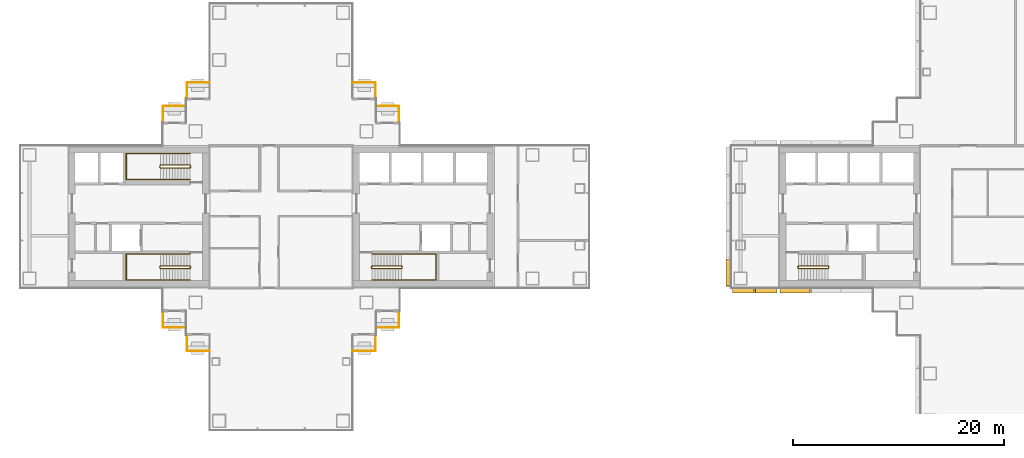
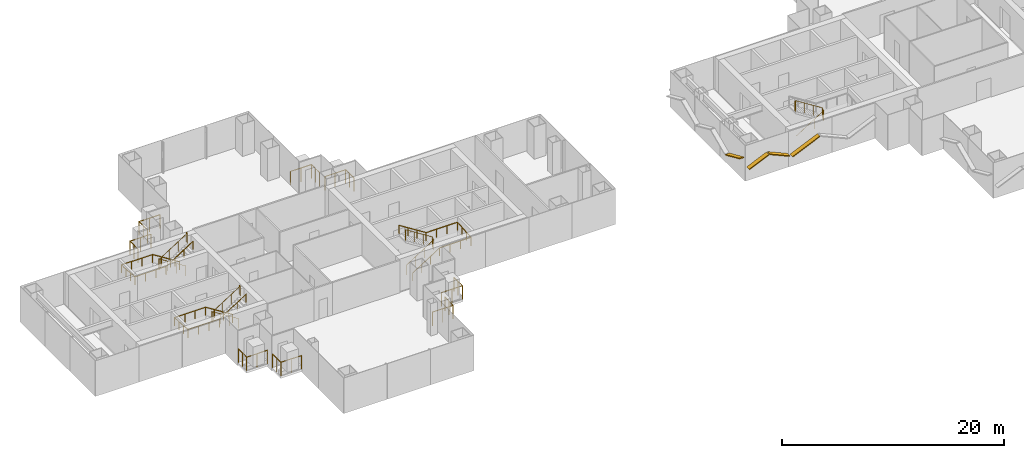
# One storey, part 16 of 19: 15 railings, 4 shading devices.
"""IFC4 building model written with IfcOpenShell, lengths in metres."""

from ifc_helpers import new_model, si_unit, direction, frame, origin, origin_2d, place, context, subcontext, project, spatial, rectangle, circle, extrude, material, material_profile, profile_set, type_object, element, save


model = new_model("IFC4")

# Units and contexts
model_context = context("Model", 3, precision=1e-05, world=origin(), true_north=direction((0.0, 1.0)))
body_context = subcontext(model_context, "Body", "Model", "MODEL_VIEW")
ifc_project = project(units=[si_unit("LENGTHUNIT", "METRE"), si_unit("AREAUNIT", "SQUARE_METRE"), si_unit("VOLUMEUNIT", "CUBIC_METRE"), si_unit("PLANEANGLEUNIT", "RADIAN"), si_unit("MASSUNIT", "GRAM", prefix="KILO")], contexts=[model_context])

# Site, building, storey
site_placement = place(None, origin())
site = spatial("IfcSite", under=ifc_project, at=site_placement, CompositionType="ELEMENT")
building_placement = place(site_placement, origin())
building = spatial("IfcBuilding", under=site, at=building_placement, Name="Shamsa Quay Exchange Towers", CompositionType="ELEMENT")
storey_placement = place(building_placement, frame((0.0, 0.0, 85.800048828125)))
storey = spatial("IfcBuildingStorey", under=building, at=storey_placement, Name="L19", CompositionType="ELEMENT", Elevation=85.800048828125)

# Railings
ifc_material_1 = material(Name="Steel S355, black powder-coated", Category="steel")
railing_type_1 = type_object("IfcRailingType", Name="BALCONY GUARD 1500", PredefinedType="GUARDRAIL", material=ifc_material_1)
for number, where, name in (
    (1, (-22.550048828125, 9.02099609375, 0.0), "Balcony guard T1-PKEN L19"),
    (2, (-24.800048828125, 11.27099609375, 0.0), "Balcony guard T1-PKEN L19"),
):
    element("IfcRailing", number, at=place(storey_placement, frame(where)), inside=storey, type_object=railing_type_1, Name=name, PredefinedType="GUARDRAIL", context=body_context, shape_type="SweptSolid", body=[
        extrude(circle(Radius=0.02392578125, at=origin_2d()), frame((0.0, 0.0, 1.47607421875), z_axis=(0.0, 1.0, 0.0), x_axis=(-1.0, 0.0, 0.0)), (0.0, 0.0, 1.0), 1.47900390625),
        extrude(circle(Radius=0.02392578125, at=origin_2d()), frame((0.0, 1.47900390625, 1.47607421875), z_axis=(-1.0, 0.0, 0.0), x_axis=(0.0, -1.0, 0.0)), (0.0, 0.0, 1.0), 2.161865234375),
        extrude(circle(Radius=0.02099609375, at=origin_2d()), origin(), (0.0, 0.0, 1.0), 1.451904296875),
        extrude(circle(Radius=0.02099609375, at=origin_2d()), frame((0.0, 0.739501953125, 0.0)), (0.0, 0.0, 1.0), 1.451904296875),
        extrude(circle(Radius=0.02099609375, at=origin_2d()), frame((0.0, 1.47900390625, 0.0)), (0.0, 0.0, 1.0), 1.451904296875),
        extrude(circle(Radius=0.02099609375, at=origin_2d()), frame((-1.0810546875, 1.47900390625, 0.0)), (0.0, 0.0, 1.0), 1.451904296875),
        extrude(circle(Radius=0.02099609375, at=origin_2d()), frame((-2.161865234375, 1.47900390625, 0.0)), (0.0, 0.0, 1.0), 1.451904296875),
    ])
for number, where, name in (
    (3, (-24.7119140625, -10.5, 0.0), "Balcony guard T1-PKES L19"),
    (4, (-26.9619140625, -12.75, 0.0), "Balcony guard T1-PKES L19"),
):
    element("IfcRailing", number, at=place(storey_placement, frame(where)), inside=storey, type_object=railing_type_1, Name=name, PredefinedType="GUARDRAIL", context=body_context, shape_type="SweptSolid", body=[
        extrude(circle(Radius=0.02392578125, at=origin_2d()), frame((0.0, 0.0, 1.47607421875), z_axis=(1.0, 0.0, 0.0), x_axis=(0.0, 1.0, 0.0)), (0.0, 0.0, 1.0), 2.161865234375),
        extrude(circle(Radius=0.02392578125, at=origin_2d()), frame((2.161865234375, 0.0, 1.47607421875), z_axis=(0.0, 1.0, 0.0), x_axis=(-1.0, 0.0, 0.0)), (0.0, 0.0, 1.0), 1.47900390625),
        extrude(circle(Radius=0.02099609375, at=origin_2d()), origin(), (0.0, 0.0, 1.0), 1.451904296875),
        extrude(circle(Radius=0.02099609375, at=origin_2d()), frame((1.0810546875, 0.0, 0.0)), (0.0, 0.0, 1.0), 1.451904296875),
        extrude(circle(Radius=0.02099609375, at=origin_2d()), frame((2.161865234375, 0.0, 0.0)), (0.0, 0.0, 1.0), 1.451904296875),
        extrude(circle(Radius=0.02099609375, at=origin_2d()), frame((2.161865234375, 0.739501953125, 0.0)), (0.0, 0.0, 1.0), 1.451904296875),
        extrude(circle(Radius=0.02099609375, at=origin_2d()), frame((2.161865234375, 1.47900390625, 0.0)), (0.0, 0.0, 1.0), 1.451904296875),
    ])
for number, where, name in (
    (5, (-40.5380859375, 12.75, 0.0), "Balcony guard T1-PKWN L19"),
    (6, (-42.7880859375, 10.5, 0.0), "Balcony guard T1-PKWN L19"),
):
    element("IfcRailing", number, at=place(storey_placement, frame(where)), inside=storey, type_object=railing_type_1, Name=name, PredefinedType="GUARDRAIL", context=body_context, shape_type="SweptSolid", body=[
        extrude(circle(Radius=0.02392578125, at=origin_2d()), frame((0.0, 0.0, 1.47607421875), z_axis=(-1.0, 0.0, 0.0), x_axis=(0.0, -1.0, 0.0)), (0.0, 0.0, 1.0), 2.161865234375),
        extrude(circle(Radius=0.02392578125, at=origin_2d()), frame((-2.161865234375, 0.0, 1.47607421875), z_axis=(0.0, -1.0, 0.0), x_axis=(1.0, 0.0, 0.0)), (0.0, 0.0, 1.0), 1.47900390625),
        extrude(circle(Radius=0.02099609375, at=origin_2d()), origin(), (0.0, 0.0, 1.0), 1.451904296875),
        extrude(circle(Radius=0.02099609375, at=origin_2d()), frame((-1.0810546875, 0.0, 0.0)), (0.0, 0.0, 1.0), 1.451904296875),
        extrude(circle(Radius=0.02099609375, at=origin_2d()), frame((-2.161865234375, 0.0, 0.0)), (0.0, 0.0, 1.0), 1.451904296875),
        extrude(circle(Radius=0.02099609375, at=origin_2d()), frame((-2.161865234375, -0.739501953125, 0.0)), (0.0, 0.0, 1.0), 1.451904296875),
        extrude(circle(Radius=0.02099609375, at=origin_2d()), frame((-2.161865234375, -1.47900390625, 0.0)), (0.0, 0.0, 1.0), 1.451904296875),
    ])
for number, where, name in (
    (7, (-44.949951171875, -9.02099609375, 0.0), "Balcony guard T1-PKWS L19"),
    (8, (-42.699951171875, -11.27099609375, 0.0), "Balcony guard T1-PKWS L19"),
):
    element("IfcRailing", number, at=place(storey_placement, frame(where)), inside=storey, type_object=railing_type_1, Name=name, PredefinedType="GUARDRAIL", context=body_context, shape_type="SweptSolid", body=[
        extrude(circle(Radius=0.02392578125, at=origin_2d()), frame((0.0, 0.0, 1.47607421875), z_axis=(0.0, -1.0, 0.0), x_axis=(1.0, 0.0, 0.0)), (0.0, 0.0, 1.0), 1.47900390625),
        extrude(circle(Radius=0.02392578125, at=origin_2d()), frame((0.0, -1.47900390625, 1.47607421875), z_axis=(1.0, 0.0, 0.0), x_axis=(0.0, 1.0, 0.0)), (0.0, 0.0, 1.0), 2.161865234375),
        extrude(circle(Radius=0.02099609375, at=origin_2d()), origin(), (0.0, 0.0, 1.0), 1.451904296875),
        extrude(circle(Radius=0.02099609375, at=origin_2d()), frame((0.0, -0.739501953125, 0.0)), (0.0, 0.0, 1.0), 1.451904296875),
        extrude(circle(Radius=0.02099609375, at=origin_2d()), frame((0.0, -1.47900390625, 0.0)), (0.0, 0.0, 1.0), 1.451904296875),
        extrude(circle(Radius=0.02099609375, at=origin_2d()), frame((1.0810546875, -1.47900390625, 0.0)), (0.0, 0.0, 1.0), 1.451904296875),
        extrude(circle(Radius=0.02099609375, at=origin_2d()), frame((2.161865234375, -1.47900390625, 0.0)), (0.0, 0.0, 1.0), 1.451904296875),
    ])

# Shading devices
ifc_material_2 = material(Name="Aluminium EN AW-6063 T6, black anodised", Category="aluminium")
ifc_material_profile = material_profile(ifc_material_2, rectangle(XDim=0.449951171875, YDim=0.10009765625, at=origin_2d()), Name="FIN450x100")
ifc_profile_set = profile_set([ifc_material_profile], Name="Aluminium EN AW-6063 T6, black anodised")
shading_device_type = type_object("IfcShadingDeviceType", Name="FIN 450x100 BLACK ALUMINIUM", PredefinedType="USERDEFINED", material=ifc_profile_set)
shading_device_1_placement = place(storey_placement, frame((8.735107421875, -4.010009765625, 1.0234375), z_axis=(0.0, -0.91355925163, 0.406705659859), x_axis=(1.0, 0.0, 0.0)))
element("IfcShadingDevice", 9, at=shading_device_1_placement, inside=storey, type_object=shading_device_type, Name="FIN T2 chevron rib", ObjectType="FIN", PredefinedType="USERDEFINED", context=body_context, shape_type="SweptSolid", body=[
    extrude(rectangle(XDim=0.449951171875, YDim=0.10009765625, at=origin_2d()), origin(), (0.0, 0.0, 1.0), 2.835205078125),
])
for number, where, z_axis, x_axis, name in (
    (10, (9.14990234375, -7.014892578125, 1.1435546875), (0.913528691757, 0.0, 0.406774297783), (0.0, 1.0, 0.0), "FIN T2 chevron rib"),
    (11, (11.300048828125, -7.014892578125, 2.056396484375), (0.913528691757, 0.0, -0.406774297783), (0.0, 1.0, 0.0), "FIN T2 chevron rib"),
):
    element("IfcShadingDevice", number, at=place(storey_placement, frame(where, z_axis=z_axis, x_axis=x_axis)), inside=storey, type_object=shading_device_type, Name=name, ObjectType="FIN", PredefinedType="USERDEFINED", context=body_context, shape_type="SweptSolid", body=[
        extrude(rectangle(XDim=0.449951171875, YDim=0.10009765625, at=origin_2d()), origin(), (0.0, 0.0, 1.0), 2.244140625),
    ])
shading_device_2_placement = place(storey_placement, frame((13.64990234375, -7.01904296875, 0.965576171875), z_axis=(0.913562893981, 0.0, 0.406697478158), x_axis=(0.0, 1.0, 0.0)))
element("IfcShadingDevice", 12, at=shading_device_2_placement, inside=storey, type_object=shading_device_type, Name="FIN T2 chevron rib", ObjectType="FIN", PredefinedType="USERDEFINED", context=body_context, shape_type="SweptSolid", body=[
    extrude(rectangle(XDim=0.449951171875, YDim=0.10009765625, at=origin_2d()), origin(), (0.0, 0.0, 1.0), 3.119873046875),
])

# Railings
ifc_material_3 = material(Name="Stainless steel", Category="steel")
railing_type_2 = type_object("IfcRailingType", Name="STAIR GUARD 1100", PredefinedType="GUARDRAIL", material=ifc_material_3)
railing_1_placement = place(storey_placement, frame((-25.10009765625, -4.89990234375, 0.17724609375)))
element("IfcRailing", 13, at=railing_1_placement, inside=storey, type_object=railing_type_2, Name="L19 ST1 stair guard 1", PredefinedType="GUARDRAIL", context=body_context, shape_type="SweptSolid", body=[
    extrude(circle(Radius=0.02392578125, at=origin_2d()), frame((0.0, 0.0, 1.076171875), z_axis=(0.844908973607, 0.0, 0.534910110503), x_axis=(0.0, 1.0, 0.0)), (0.0, 0.0, 1.0), 3.31396484375),
    extrude(circle(Radius=0.02392578125, at=origin_2d()), frame((2.800048828125, 0.0, 2.8486328125), z_axis=(0.708833529934, 0.705375805398, 0.0), x_axis=(-0.705375805398, 0.708833529934, 0.0)), (0.0, 0.0, 1.0), 0.070556640625),
    extrude(circle(Radius=0.02392578125, at=origin_2d()), frame((2.85009765625, 0.0498046875, 2.8486328125), z_axis=(0.0, 1.0, 0.0), x_axis=(-1.0, 0.0, 0.0)), (0.0, 0.0, 1.0), 0.150146484375),
    extrude(circle(Radius=0.02392578125, at=origin_2d()), frame((2.85009765625, 0.199951171875, 2.8486328125), z_axis=(-0.262233686654, 0.262233686654, 0.928691007369), x_axis=(-0.707106781187, -0.707106781187, 0.0)), (0.0, 0.0, 1.0), 0.19091796875),
    extrude(circle(Radius=0.02392578125, at=origin_2d()), frame((2.800048828125, 0.25, 3.02587890625), z_axis=(-0.844908973607, 0.0, 0.534910110503), x_axis=(0.0, -1.0, 0.0)), (0.0, 0.0, 1.0), 3.31396484375),
    extrude(circle(Radius=0.02392578125, at=origin_2d()), frame((0.0, 0.25, 4.798828125), z_axis=(-0.24142163986, -0.970420317083, 0.0), x_axis=(0.970420317083, -0.24142163986, 0.0)), (0.0, 0.0, 1.0), 0.206298828125),
    extrude(circle(Radius=0.02392578125, at=origin_2d()), frame((-0.0498046875, 0.0498046875, 4.798828125), z_axis=(0.0, 1.0, 0.0), x_axis=(-1.0, 0.0, 0.0)), (0.0, 0.0, 1.0), 0.150146484375),
    extrude(circle(Radius=0.02099609375, at=origin_2d()), origin(), (0.0, 0.0, 1.0), 1.052001953125),
    extrude(circle(Radius=0.02099609375, at=origin_2d()), frame((0.933349609375, 0.0, 0.5908203125)), (0.0, 0.0, 1.0), 1.052001953125),
    extrude(circle(Radius=0.02099609375, at=origin_2d()), frame((1.86669921875, 0.0, 1.181884765625)), (0.0, 0.0, 1.0), 1.052001953125),
    extrude(circle(Radius=0.02099609375, at=origin_2d()), frame((2.800048828125, 0.0, 1.772705078125)), (0.0, 0.0, 1.0), 1.052001953125),
    extrude(circle(Radius=0.02099609375, at=origin_2d()), frame((2.85009765625, 0.0498046875, 1.772705078125)), (0.0, 0.0, 1.0), 1.052001953125),
    extrude(circle(Radius=0.02099609375, at=origin_2d()), frame((2.85009765625, 0.199951171875, 1.772705078125)), (0.0, 0.0, 1.0), 1.052001953125),
    extrude(circle(Radius=0.02099609375, at=origin_2d()), frame((2.800048828125, 0.25, 1.949951171875)), (0.0, 0.0, 1.0), 1.052001953125),
    extrude(circle(Radius=0.02099609375, at=origin_2d()), frame((1.86669921875, 0.25, 2.540771484375)), (0.0, 0.0, 1.0), 1.052001953125),
    extrude(circle(Radius=0.02099609375, at=origin_2d()), frame((0.933349609375, 0.25, 3.1318359375)), (0.0, 0.0, 1.0), 1.052001953125),
    extrude(circle(Radius=0.02099609375, at=origin_2d()), frame((0.0, 0.25, 3.72265625)), (0.0, 0.0, 1.0), 1.052001953125),
    extrude(circle(Radius=0.02099609375, at=origin_2d()), frame((-0.0498046875, 0.0498046875, 3.72265625)), (0.0, 0.0, 1.0), 1.052001953125),
    extrude(circle(Radius=0.02099609375, at=origin_2d()), frame((-0.0498046875, 0.199951171875, 3.72265625)), (0.0, 0.0, 1.0), 1.052001953125),
])
railing_2_placement = place(storey_placement, frame((-42.39990234375, -4.64990234375, 0.17724609375)))
element("IfcRailing", 14, at=railing_2_placement, inside=storey, type_object=railing_type_2, Name="L19 ST2 stair guard 1", PredefinedType="GUARDRAIL", context=body_context, shape_type="SweptSolid", body=[
    extrude(circle(Radius=0.02392578125, at=origin_2d()), frame((0.0, 0.0, 1.076171875), z_axis=(-0.844908973607, 0.0, 0.534910110503), x_axis=(0.0, -1.0, 0.0)), (0.0, 0.0, 1.0), 3.31396484375),
    extrude(circle(Radius=0.02392578125, at=origin_2d()), frame((-2.800048828125, 0.0, 2.8486328125), z_axis=(-0.707106781187, -0.707106781187, 0.0), x_axis=(0.707106781187, -0.707106781187, 0.0)), (0.0, 0.0, 1.0), 0.07080078125),
    extrude(circle(Radius=0.02392578125, at=origin_2d()), frame((-2.85009765625, -0.050048828125, 2.8486328125), z_axis=(0.0, -1.0, 0.0), x_axis=(1.0, 0.0, 0.0)), (0.0, 0.0, 1.0), 0.150146484375),
    extrude(circle(Radius=0.02392578125, at=origin_2d()), frame((-2.85009765625, -0.2001953125, 2.8486328125), z_axis=(0.262321481514, -0.261041864531, 0.929001929653), x_axis=(0.705375805398, 0.708833529934, 0.0)), (0.0, 0.0, 1.0), 0.190673828125),
    extrude(circle(Radius=0.02392578125, at=origin_2d()), frame((-2.800048828125, -0.25, 3.02587890625), z_axis=(0.844908973607, 0.0, 0.534910110503), x_axis=(0.0, 1.0, 0.0)), (0.0, 0.0, 1.0), 3.31396484375),
    extrude(circle(Radius=0.02392578125, at=origin_2d()), frame((0.0, -0.25, 4.798828125), z_axis=(0.241699205484, 0.970351222016, 0.0), x_axis=(-0.970351222016, 0.241699205484, 0.0)), (0.0, 0.0, 1.0), 0.2060546875),
    extrude(circle(Radius=0.02392578125, at=origin_2d()), frame((0.0498046875, -0.050048828125, 4.798828125), z_axis=(0.0, -1.0, 0.0), x_axis=(1.0, 0.0, 0.0)), (0.0, 0.0, 1.0), 0.150146484375),
    extrude(circle(Radius=0.02099609375, at=origin_2d()), origin(), (0.0, 0.0, 1.0), 1.052001953125),
    extrude(circle(Radius=0.02099609375, at=origin_2d()), frame((-0.933349609375, 0.0, 0.5908203125)), (0.0, 0.0, 1.0), 1.052001953125),
    extrude(circle(Radius=0.02099609375, at=origin_2d()), frame((-1.86669921875, 0.0, 1.181884765625)), (0.0, 0.0, 1.0), 1.052001953125),
    extrude(circle(Radius=0.02099609375, at=origin_2d()), frame((-2.800048828125, 0.0, 1.772705078125)), (0.0, 0.0, 1.0), 1.052001953125),
    extrude(circle(Radius=0.02099609375, at=origin_2d()), frame((-2.85009765625, -0.050048828125, 1.772705078125)), (0.0, 0.0, 1.0), 1.052001953125),
    extrude(circle(Radius=0.02099609375, at=origin_2d()), frame((-2.85009765625, -0.2001953125, 1.772705078125)), (0.0, 0.0, 1.0), 1.052001953125),
    extrude(circle(Radius=0.02099609375, at=origin_2d()), frame((-2.800048828125, -0.25, 1.949951171875)), (0.0, 0.0, 1.0), 1.052001953125),
    extrude(circle(Radius=0.02099609375, at=origin_2d()), frame((-1.86669921875, -0.25, 2.540771484375)), (0.0, 0.0, 1.0), 1.052001953125),
    extrude(circle(Radius=0.02099609375, at=origin_2d()), frame((-0.933349609375, -0.25, 3.1318359375)), (0.0, 0.0, 1.0), 1.052001953125),
    extrude(circle(Radius=0.02099609375, at=origin_2d()), frame((0.0, -0.25, 3.72265625)), (0.0, 0.0, 1.0), 1.052001953125),
    extrude(circle(Radius=0.02099609375, at=origin_2d()), frame((0.0498046875, -0.050048828125, 3.72265625)), (0.0, 0.0, 1.0), 1.052001953125),
    extrude(circle(Radius=0.02099609375, at=origin_2d()), frame((0.0498046875, -0.2001953125, 3.72265625)), (0.0, 0.0, 1.0), 1.052001953125),
])
railing_3_placement = place(storey_placement, frame((-42.39990234375, 4.89990234375, 0.17724609375)))
element("IfcRailing", 15, at=railing_3_placement, inside=storey, type_object=railing_type_2, Name="L19 ST3 stair guard 1", PredefinedType="GUARDRAIL", context=body_context, shape_type="SweptSolid", body=[
    extrude(circle(Radius=0.02392578125, at=origin_2d()), frame((0.0, 0.0, 1.076171875), z_axis=(-0.844908973607, 0.0, 0.534910110503), x_axis=(0.0, -1.0, 0.0)), (0.0, 0.0, 1.0), 3.31396484375),
    extrude(circle(Radius=0.02392578125, at=origin_2d()), frame((-2.800048828125, 0.0, 2.8486328125), z_axis=(-0.708833529934, -0.705375805398, 0.0), x_axis=(0.705375805398, -0.708833529934, 0.0)), (0.0, 0.0, 1.0), 0.070556640625),
    extrude(circle(Radius=0.02392578125, at=origin_2d()), frame((-2.85009765625, -0.0498046875, 2.8486328125), z_axis=(0.0, -1.0, 0.0), x_axis=(1.0, 0.0, 0.0)), (0.0, 0.0, 1.0), 0.150146484375),
    extrude(circle(Radius=0.02392578125, at=origin_2d()), frame((-2.85009765625, -0.199951171875, 2.8486328125), z_axis=(0.262233686654, -0.262233686654, 0.928691007369), x_axis=(0.707106781187, 0.707106781187, 0.0)), (0.0, 0.0, 1.0), 0.19091796875),
    extrude(circle(Radius=0.02392578125, at=origin_2d()), frame((-2.800048828125, -0.25, 3.02587890625), z_axis=(0.844908973607, 0.0, 0.534910110503), x_axis=(0.0, 1.0, 0.0)), (0.0, 0.0, 1.0), 3.31396484375),
    extrude(circle(Radius=0.02392578125, at=origin_2d()), frame((0.0, -0.25, 4.798828125), z_axis=(0.24142163986, 0.970420317083, 0.0), x_axis=(-0.970420317083, 0.24142163986, 0.0)), (0.0, 0.0, 1.0), 0.206298828125),
    extrude(circle(Radius=0.02392578125, at=origin_2d()), frame((0.0498046875, -0.0498046875, 4.798828125), z_axis=(0.0, -1.0, 0.0), x_axis=(1.0, 0.0, 0.0)), (0.0, 0.0, 1.0), 0.150146484375),
    extrude(circle(Radius=0.02099609375, at=origin_2d()), origin(), (0.0, 0.0, 1.0), 1.052001953125),
    extrude(circle(Radius=0.02099609375, at=origin_2d()), frame((-0.933349609375, 0.0, 0.5908203125)), (0.0, 0.0, 1.0), 1.052001953125),
    extrude(circle(Radius=0.02099609375, at=origin_2d()), frame((-1.86669921875, 0.0, 1.181884765625)), (0.0, 0.0, 1.0), 1.052001953125),
    extrude(circle(Radius=0.02099609375, at=origin_2d()), frame((-2.800048828125, 0.0, 1.772705078125)), (0.0, 0.0, 1.0), 1.052001953125),
    extrude(circle(Radius=0.02099609375, at=origin_2d()), frame((-2.85009765625, -0.0498046875, 1.772705078125)), (0.0, 0.0, 1.0), 1.052001953125),
    extrude(circle(Radius=0.02099609375, at=origin_2d()), frame((-2.85009765625, -0.199951171875, 1.772705078125)), (0.0, 0.0, 1.0), 1.052001953125),
    extrude(circle(Radius=0.02099609375, at=origin_2d()), frame((-2.800048828125, -0.25, 1.949951171875)), (0.0, 0.0, 1.0), 1.052001953125),
    extrude(circle(Radius=0.02099609375, at=origin_2d()), frame((-1.86669921875, -0.25, 2.540771484375)), (0.0, 0.0, 1.0), 1.052001953125),
    extrude(circle(Radius=0.02099609375, at=origin_2d()), frame((-0.933349609375, -0.25, 3.1318359375)), (0.0, 0.0, 1.0), 1.052001953125),
    extrude(circle(Radius=0.02099609375, at=origin_2d()), frame((0.0, -0.25, 3.72265625)), (0.0, 0.0, 1.0), 1.052001953125),
    extrude(circle(Radius=0.02099609375, at=origin_2d()), frame((0.0498046875, -0.0498046875, 3.72265625)), (0.0, 0.0, 1.0), 1.052001953125),
    extrude(circle(Radius=0.02099609375, at=origin_2d()), frame((0.0498046875, -0.199951171875, 3.72265625)), (0.0, 0.0, 1.0), 1.052001953125),
])
railing_4_placement = place(storey_placement, frame((15.39990234375, -4.89990234375, 0.17724609375)))
element("IfcRailing", 16, at=railing_4_placement, inside=storey, type_object=railing_type_2, Name="L19 ST4 stair guard 1", PredefinedType="GUARDRAIL", context=body_context, shape_type="SweptSolid", body=[
    extrude(circle(Radius=0.02392578125, at=origin_2d()), frame((0.0, 0.0, 1.076171875), z_axis=(0.844908973607, 0.0, 0.534910110503), x_axis=(0.0, 1.0, 0.0)), (0.0, 0.0, 1.0), 3.31396484375),
    extrude(circle(Radius=0.02392578125, at=origin_2d()), frame((2.800048828125, 0.0, 2.8486328125), z_axis=(0.708833529934, 0.705375805398, 0.0), x_axis=(-0.705375805398, 0.708833529934, 0.0)), (0.0, 0.0, 1.0), 0.070556640625),
    extrude(circle(Radius=0.02392578125, at=origin_2d()), frame((2.85009765625, 0.0498046875, 2.8486328125), z_axis=(0.0, 1.0, 0.0), x_axis=(-1.0, 0.0, 0.0)), (0.0, 0.0, 1.0), 0.150146484375),
    extrude(circle(Radius=0.02392578125, at=origin_2d()), frame((2.85009765625, 0.199951171875, 2.8486328125), z_axis=(-0.262233686654, 0.262233686654, 0.928691007369), x_axis=(-0.707106781187, -0.707106781187, 0.0)), (0.0, 0.0, 1.0), 0.19091796875),
    extrude(circle(Radius=0.02392578125, at=origin_2d()), frame((2.800048828125, 0.25, 3.02587890625), z_axis=(-0.844908973607, 0.0, 0.534910110503), x_axis=(0.0, -1.0, 0.0)), (0.0, 0.0, 1.0), 3.31396484375),
    extrude(circle(Radius=0.02392578125, at=origin_2d()), frame((0.0, 0.25, 4.798828125), z_axis=(-0.24142163986, -0.970420317083, 0.0), x_axis=(0.970420317083, -0.24142163986, 0.0)), (0.0, 0.0, 1.0), 0.206298828125),
    extrude(circle(Radius=0.02392578125, at=origin_2d()), frame((-0.0498046875, 0.0498046875, 4.798828125), z_axis=(0.0, 1.0, 0.0), x_axis=(-1.0, 0.0, 0.0)), (0.0, 0.0, 1.0), 0.150146484375),
    extrude(circle(Radius=0.02099609375, at=origin_2d()), origin(), (0.0, 0.0, 1.0), 1.052001953125),
    extrude(circle(Radius=0.02099609375, at=origin_2d()), frame((0.933349609375, 0.0, 0.5908203125)), (0.0, 0.0, 1.0), 1.052001953125),
    extrude(circle(Radius=0.02099609375, at=origin_2d()), frame((1.86669921875, 0.0, 1.181884765625)), (0.0, 0.0, 1.0), 1.052001953125),
    extrude(circle(Radius=0.02099609375, at=origin_2d()), frame((2.800048828125, 0.0, 1.772705078125)), (0.0, 0.0, 1.0), 1.052001953125),
    extrude(circle(Radius=0.02099609375, at=origin_2d()), frame((2.85009765625, 0.0498046875, 1.772705078125)), (0.0, 0.0, 1.0), 1.052001953125),
    extrude(circle(Radius=0.02099609375, at=origin_2d()), frame((2.85009765625, 0.199951171875, 1.772705078125)), (0.0, 0.0, 1.0), 1.052001953125),
    extrude(circle(Radius=0.02099609375, at=origin_2d()), frame((2.800048828125, 0.25, 1.949951171875)), (0.0, 0.0, 1.0), 1.052001953125),
    extrude(circle(Radius=0.02099609375, at=origin_2d()), frame((1.86669921875, 0.25, 2.540771484375)), (0.0, 0.0, 1.0), 1.052001953125),
    extrude(circle(Radius=0.02099609375, at=origin_2d()), frame((0.933349609375, 0.25, 3.1318359375)), (0.0, 0.0, 1.0), 1.052001953125),
    extrude(circle(Radius=0.02099609375, at=origin_2d()), frame((0.0, 0.25, 3.72265625)), (0.0, 0.0, 1.0), 1.052001953125),
    extrude(circle(Radius=0.02099609375, at=origin_2d()), frame((-0.0498046875, 0.0498046875, 3.72265625)), (0.0, 0.0, 1.0), 1.052001953125),
    extrude(circle(Radius=0.02099609375, at=origin_2d()), frame((-0.0498046875, 0.199951171875, 3.72265625)), (0.0, 0.0, 1.0), 1.052001953125),
])
railing_type_3 = type_object("IfcRailingType", Name="STAIR HANDRAIL 900", PredefinedType="HANDRAIL", material=ifc_material_3)
railing_5_placement = place(storey_placement, frame((-25.10009765625, -6.0, 0.17724609375)))
element("IfcRailing", 17, at=railing_5_placement, inside=storey, type_object=railing_type_3, Name="L19 ST1 stair handrail 1", PredefinedType="HANDRAIL", context=body_context, shape_type="SweptSolid", body=[
    extrude(circle(Radius=0.02392578125, at=origin_2d()), frame((0.0, 0.0, 0.8759765625), z_axis=(0.844908973607, 0.0, 0.534910110503), x_axis=(0.0, 1.0, 0.0)), (0.0, 0.0, 1.0), 3.31396484375),
    extrude(circle(Radius=0.02392578125, at=origin_2d()), frame((2.800048828125, 0.0, 2.6484375), z_axis=(1.0, 0.0, 0.0), x_axis=(0.0, 1.0, 0.0)), (0.0, 0.0, 1.0), 3.25),
    extrude(circle(Radius=0.02392578125, at=origin_2d()), frame((6.050048828125, 0.0, 2.6484375), z_axis=(0.0, 0.997393199914, 0.07215819264), x_axis=(-1.0, 0.0, 0.0)), (0.0, 0.0, 1.0), 2.456298828125),
    extrude(circle(Radius=0.02392578125, at=origin_2d()), frame((6.050048828125, 2.449951171875, 2.82568359375), z_axis=(-1.0, 0.0, 0.0), x_axis=(0.0, -1.0, 0.0)), (0.0, 0.0, 1.0), 3.25),
    extrude(circle(Radius=0.02392578125, at=origin_2d()), frame((2.800048828125, 2.449951171875, 2.82568359375), z_axis=(-0.844908973607, 0.0, 0.534910110503), x_axis=(0.0, -1.0, 0.0)), (0.0, 0.0, 1.0), 3.31396484375),
    extrude(circle(Radius=0.02099609375, at=origin_2d()), origin(), (0.0, 0.0, 1.0), 0.851806640625),
    extrude(circle(Radius=0.02099609375, at=origin_2d()), frame((0.933349609375, 0.0, 0.5908203125)), (0.0, 0.0, 1.0), 0.851806640625),
    extrude(circle(Radius=0.02099609375, at=origin_2d()), frame((1.86669921875, 0.0, 1.181884765625)), (0.0, 0.0, 1.0), 0.851806640625),
    extrude(circle(Radius=0.02099609375, at=origin_2d()), frame((2.800048828125, 0.0, 1.772705078125)), (0.0, 0.0, 1.0), 0.851806640625),
    extrude(circle(Radius=0.02099609375, at=origin_2d()), frame((3.88330078125, 0.0, 1.772705078125)), (0.0, 0.0, 1.0), 0.851806640625),
    extrude(circle(Radius=0.02099609375, at=origin_2d()), frame((4.966796875, 0.0, 1.772705078125)), (0.0, 0.0, 1.0), 0.851806640625),
    extrude(circle(Radius=0.02099609375, at=origin_2d()), frame((6.050048828125, 0.0, 1.772705078125)), (0.0, 0.0, 1.0), 0.851806640625),
    extrude(circle(Radius=0.02099609375, at=origin_2d()), frame((6.050048828125, 0.816650390625, 1.831787109375)), (0.0, 0.0, 1.0), 0.851806640625),
    extrude(circle(Radius=0.02099609375, at=origin_2d()), frame((6.050048828125, 1.63330078125, 1.890869140625)), (0.0, 0.0, 1.0), 0.851806640625),
    extrude(circle(Radius=0.02099609375, at=origin_2d()), frame((6.050048828125, 2.449951171875, 1.949951171875)), (0.0, 0.0, 1.0), 0.851806640625),
    extrude(circle(Radius=0.02099609375, at=origin_2d()), frame((4.966796875, 2.449951171875, 1.949951171875)), (0.0, 0.0, 1.0), 0.851806640625),
    extrude(circle(Radius=0.02099609375, at=origin_2d()), frame((3.88330078125, 2.449951171875, 1.949951171875)), (0.0, 0.0, 1.0), 0.851806640625),
    extrude(circle(Radius=0.02099609375, at=origin_2d()), frame((2.800048828125, 2.449951171875, 1.949951171875)), (0.0, 0.0, 1.0), 0.851806640625),
    extrude(circle(Radius=0.02099609375, at=origin_2d()), frame((1.86669921875, 2.449951171875, 2.540771484375)), (0.0, 0.0, 1.0), 0.851806640625),
    extrude(circle(Radius=0.02099609375, at=origin_2d()), frame((0.933349609375, 2.449951171875, 3.1318359375)), (0.0, 0.0, 1.0), 0.851806640625),
    extrude(circle(Radius=0.02099609375, at=origin_2d()), frame((0.0, 2.449951171875, 3.72265625)), (0.0, 0.0, 1.0), 0.851806640625),
])
railing_6_placement = place(storey_placement, frame((-42.39990234375, -3.550048828125, 0.17724609375)))
element("IfcRailing", 18, at=railing_6_placement, inside=storey, type_object=railing_type_3, Name="L19 ST2 stair handrail 1", PredefinedType="HANDRAIL", context=body_context, shape_type="SweptSolid", body=[
    extrude(circle(Radius=0.02392578125, at=origin_2d()), frame((0.0, 0.0, 0.8759765625), z_axis=(-0.844908973607, 0.0, 0.534910110503), x_axis=(0.0, -1.0, 0.0)), (0.0, 0.0, 1.0), 3.31396484375),
    extrude(circle(Radius=0.02392578125, at=origin_2d()), frame((-2.800048828125, 0.0, 2.6484375), z_axis=(-1.0, 0.0, 0.0), x_axis=(0.0, -1.0, 0.0)), (0.0, 0.0, 1.0), 3.25),
    extrude(circle(Radius=0.02392578125, at=origin_2d()), frame((-6.050048828125, 0.0, 2.6484375), z_axis=(0.0, -0.997393199914, 0.07215819264), x_axis=(1.0, 0.0, 0.0)), (0.0, 0.0, 1.0), 2.456298828125),
    extrude(circle(Radius=0.02392578125, at=origin_2d()), frame((-6.050048828125, -2.449951171875, 2.82568359375), z_axis=(1.0, 0.0, 0.0), x_axis=(0.0, 1.0, 0.0)), (0.0, 0.0, 1.0), 3.25),
    extrude(circle(Radius=0.02392578125, at=origin_2d()), frame((-2.800048828125, -2.449951171875, 2.82568359375), z_axis=(0.844908973607, 0.0, 0.534910110503), x_axis=(0.0, 1.0, 0.0)), (0.0, 0.0, 1.0), 3.31396484375),
    extrude(circle(Radius=0.02099609375, at=origin_2d()), origin(), (0.0, 0.0, 1.0), 0.851806640625),
    extrude(circle(Radius=0.02099609375, at=origin_2d()), frame((-0.933349609375, 0.0, 0.5908203125)), (0.0, 0.0, 1.0), 0.851806640625),
    extrude(circle(Radius=0.02099609375, at=origin_2d()), frame((-1.86669921875, 0.0, 1.181884765625)), (0.0, 0.0, 1.0), 0.851806640625),
    extrude(circle(Radius=0.02099609375, at=origin_2d()), frame((-2.800048828125, 0.0, 1.772705078125)), (0.0, 0.0, 1.0), 0.851806640625),
    extrude(circle(Radius=0.02099609375, at=origin_2d()), frame((-3.88330078125, 0.0, 1.772705078125)), (0.0, 0.0, 1.0), 0.851806640625),
    extrude(circle(Radius=0.02099609375, at=origin_2d()), frame((-4.966796875, 0.0, 1.772705078125)), (0.0, 0.0, 1.0), 0.851806640625),
    extrude(circle(Radius=0.02099609375, at=origin_2d()), frame((-6.050048828125, 0.0, 1.772705078125)), (0.0, 0.0, 1.0), 0.851806640625),
    extrude(circle(Radius=0.02099609375, at=origin_2d()), frame((-6.050048828125, -0.816650390625, 1.831787109375)), (0.0, 0.0, 1.0), 0.851806640625),
    extrude(circle(Radius=0.02099609375, at=origin_2d()), frame((-6.050048828125, -1.63330078125, 1.890869140625)), (0.0, 0.0, 1.0), 0.851806640625),
    extrude(circle(Radius=0.02099609375, at=origin_2d()), frame((-6.050048828125, -2.449951171875, 1.949951171875)), (0.0, 0.0, 1.0), 0.851806640625),
    extrude(circle(Radius=0.02099609375, at=origin_2d()), frame((-4.966796875, -2.449951171875, 1.949951171875)), (0.0, 0.0, 1.0), 0.851806640625),
    extrude(circle(Radius=0.02099609375, at=origin_2d()), frame((-3.88330078125, -2.449951171875, 1.949951171875)), (0.0, 0.0, 1.0), 0.851806640625),
    extrude(circle(Radius=0.02099609375, at=origin_2d()), frame((-2.800048828125, -2.449951171875, 1.949951171875)), (0.0, 0.0, 1.0), 0.851806640625),
    extrude(circle(Radius=0.02099609375, at=origin_2d()), frame((-1.86669921875, -2.449951171875, 2.540771484375)), (0.0, 0.0, 1.0), 0.851806640625),
    extrude(circle(Radius=0.02099609375, at=origin_2d()), frame((-0.933349609375, -2.449951171875, 3.1318359375)), (0.0, 0.0, 1.0), 0.851806640625),
    extrude(circle(Radius=0.02099609375, at=origin_2d()), frame((0.0, -2.449951171875, 3.72265625)), (0.0, 0.0, 1.0), 0.851806640625),
])
railing_7_placement = place(storey_placement, frame((-42.39990234375, 6.0, 0.17724609375)))
element("IfcRailing", 19, at=railing_7_placement, inside=storey, type_object=railing_type_3, Name="L19 ST3 stair handrail 1", PredefinedType="HANDRAIL", context=body_context, shape_type="SweptSolid", body=[
    extrude(circle(Radius=0.02392578125, at=origin_2d()), frame((0.0, 0.0, 0.8759765625), z_axis=(-0.844908973607, 0.0, 0.534910110503), x_axis=(0.0, -1.0, 0.0)), (0.0, 0.0, 1.0), 3.31396484375),
    extrude(circle(Radius=0.02392578125, at=origin_2d()), frame((-2.800048828125, 0.0, 2.6484375), z_axis=(-1.0, 0.0, 0.0), x_axis=(0.0, -1.0, 0.0)), (0.0, 0.0, 1.0), 3.25),
    extrude(circle(Radius=0.02392578125, at=origin_2d()), frame((-6.050048828125, 0.0, 2.6484375), z_axis=(0.0, -0.997393199914, 0.07215819264), x_axis=(1.0, 0.0, 0.0)), (0.0, 0.0, 1.0), 2.456298828125),
    extrude(circle(Radius=0.02392578125, at=origin_2d()), frame((-6.050048828125, -2.449951171875, 2.82568359375), z_axis=(1.0, 0.0, 0.0), x_axis=(0.0, 1.0, 0.0)), (0.0, 0.0, 1.0), 3.25),
    extrude(circle(Radius=0.02392578125, at=origin_2d()), frame((-2.800048828125, -2.449951171875, 2.82568359375), z_axis=(0.844908973607, 0.0, 0.534910110503), x_axis=(0.0, 1.0, 0.0)), (0.0, 0.0, 1.0), 3.31396484375),
    extrude(circle(Radius=0.02099609375, at=origin_2d()), origin(), (0.0, 0.0, 1.0), 0.851806640625),
    extrude(circle(Radius=0.02099609375, at=origin_2d()), frame((-0.933349609375, 0.0, 0.5908203125)), (0.0, 0.0, 1.0), 0.851806640625),
    extrude(circle(Radius=0.02099609375, at=origin_2d()), frame((-1.86669921875, 0.0, 1.181884765625)), (0.0, 0.0, 1.0), 0.851806640625),
    extrude(circle(Radius=0.02099609375, at=origin_2d()), frame((-2.800048828125, 0.0, 1.772705078125)), (0.0, 0.0, 1.0), 0.851806640625),
    extrude(circle(Radius=0.02099609375, at=origin_2d()), frame((-3.88330078125, 0.0, 1.772705078125)), (0.0, 0.0, 1.0), 0.851806640625),
    extrude(circle(Radius=0.02099609375, at=origin_2d()), frame((-4.966796875, 0.0, 1.772705078125)), (0.0, 0.0, 1.0), 0.851806640625),
    extrude(circle(Radius=0.02099609375, at=origin_2d()), frame((-6.050048828125, 0.0, 1.772705078125)), (0.0, 0.0, 1.0), 0.851806640625),
    extrude(circle(Radius=0.02099609375, at=origin_2d()), frame((-6.050048828125, -0.816650390625, 1.831787109375)), (0.0, 0.0, 1.0), 0.851806640625),
    extrude(circle(Radius=0.02099609375, at=origin_2d()), frame((-6.050048828125, -1.63330078125, 1.890869140625)), (0.0, 0.0, 1.0), 0.851806640625),
    extrude(circle(Radius=0.02099609375, at=origin_2d()), frame((-6.050048828125, -2.449951171875, 1.949951171875)), (0.0, 0.0, 1.0), 0.851806640625),
    extrude(circle(Radius=0.02099609375, at=origin_2d()), frame((-4.966796875, -2.449951171875, 1.949951171875)), (0.0, 0.0, 1.0), 0.851806640625),
    extrude(circle(Radius=0.02099609375, at=origin_2d()), frame((-3.88330078125, -2.449951171875, 1.949951171875)), (0.0, 0.0, 1.0), 0.851806640625),
    extrude(circle(Radius=0.02099609375, at=origin_2d()), frame((-2.800048828125, -2.449951171875, 1.949951171875)), (0.0, 0.0, 1.0), 0.851806640625),
    extrude(circle(Radius=0.02099609375, at=origin_2d()), frame((-1.86669921875, -2.449951171875, 2.540771484375)), (0.0, 0.0, 1.0), 0.851806640625),
    extrude(circle(Radius=0.02099609375, at=origin_2d()), frame((-0.933349609375, -2.449951171875, 3.1318359375)), (0.0, 0.0, 1.0), 0.851806640625),
    extrude(circle(Radius=0.02099609375, at=origin_2d()), frame((0.0, -2.449951171875, 3.72265625)), (0.0, 0.0, 1.0), 0.851806640625),
])

save(model, "model.ifc")
